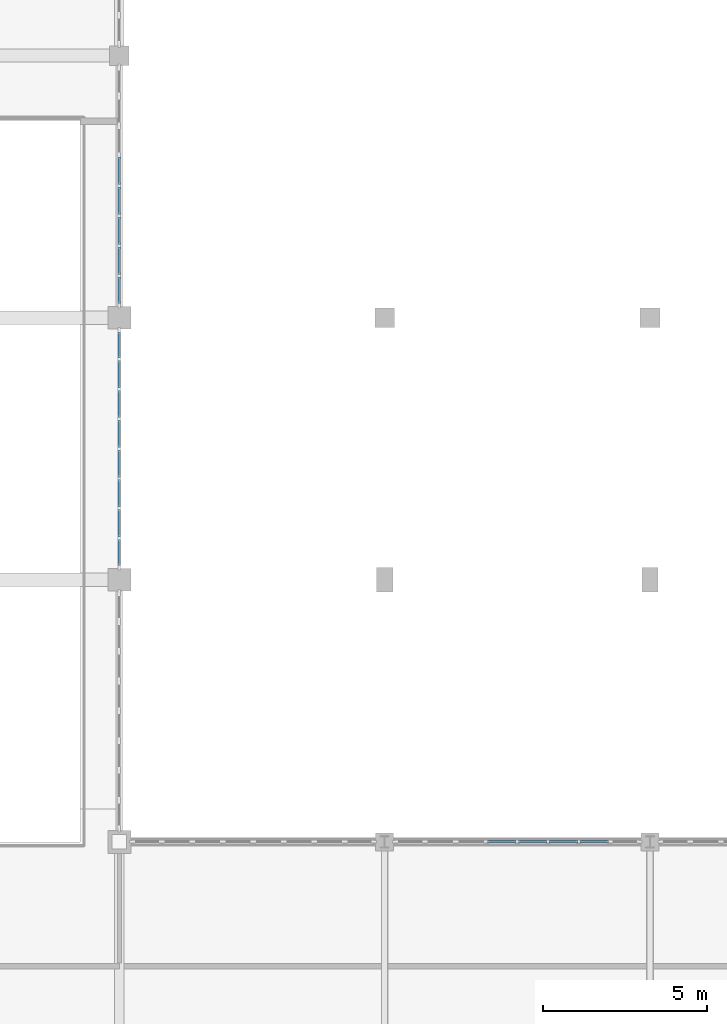
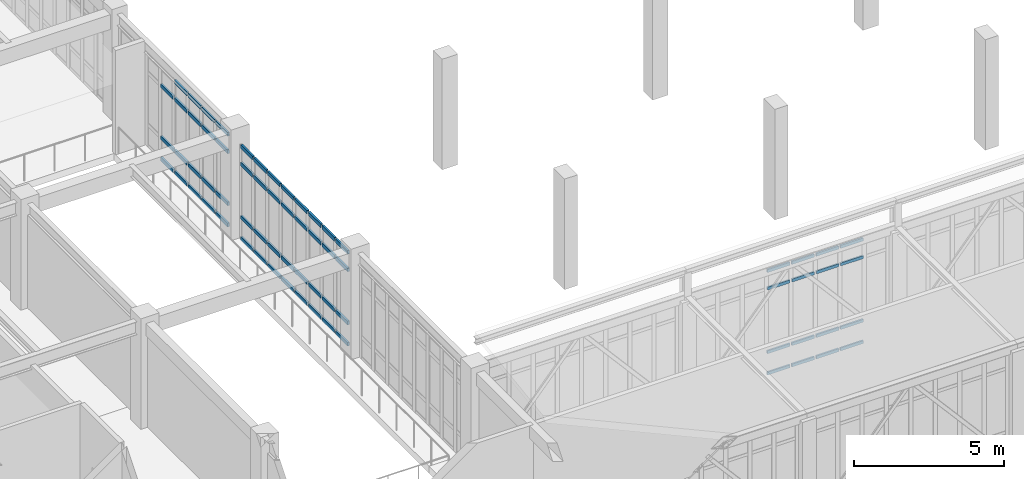
# One storey, part 26 of 67: 67 members, 3 elements without a shape of their own.
"""IFC4 building model written with IfcOpenShell, lengths in metres."""

from ifc_helpers import new_model, si_unit, direction, frame, origin, origin_2d, place, context, subcontext, project, spatial, rectangle, extrude, material, material_profile, profile_set, type_object, element, aggregate, save


model = new_model("IFC4")

# Units and contexts
model_context = context("Model", 3, precision=1e-05, world=origin(), true_north=direction((0.0, 1.0)))
body_context = subcontext(model_context, "Body", "Model", "MODEL_VIEW")
ifc_project = project(units=[si_unit("LENGTHUNIT", "METRE"), si_unit("AREAUNIT", "SQUARE_METRE"), si_unit("VOLUMEUNIT", "CUBIC_METRE"), si_unit("PLANEANGLEUNIT", "RADIAN"), si_unit("MASSUNIT", "GRAM", prefix="KILO")], contexts=[model_context])

# Site, building, storey
site_placement = place(None, origin())
site = spatial("IfcSite", under=ifc_project, at=site_placement, CompositionType="ELEMENT")
building_placement = place(site_placement, origin())
building = spatial("IfcBuilding", under=site, at=building_placement, Name="Tarnveldt Square Police Headquarters", CompositionType="ELEMENT")
storey_placement = place(building_placement, frame((0.0, 0.0, 10.199951171875)))
storey = spatial("IfcBuildingStorey", under=building, at=storey_placement, Name="L02", CompositionType="ELEMENT", Elevation=10.199951171875)

# Curtain wall, members
ifc_material_1 = material(Name="Triple-glazed low-e laminated vision glass", Category="glass")
curtain_wall_type_1 = type_object("IfcCurtainWallType", Name="CW-SB-752x424", PredefinedType="USERDEFINED", material=ifc_material_1)
curtain_wall_1_placement = place(storey_placement, origin())
curtain_wall_1 = element("IfcCurtainWall", 1, at=curtain_wall_1_placement, inside=storey, type_object=curtain_wall_type_1, Name="L02 Curtain Wall CW-L02-146", ObjectType="GLAZED CURTAIN WALL", PredefinedType="USERDEFINED")
ifc_material_2 = material(Name="Thermally broken anodised aluminium 6063-T6", Category="aluminium")
ifc_material_profile_1 = material_profile(ifc_material_2, rectangle(XDim=0.06494140625, YDim=0.1201171875, at=origin_2d()), Name="CW-T65x120")
ifc_profile_set_1 = profile_set([ifc_material_profile_1], Name="Thermally broken anodised aluminium 6063-T6")
member_type_1 = type_object("IfcMemberType", Name="CWT-65x120", PredefinedType="USERDEFINED", material=ifc_profile_set_1)
member_1_placement = place(storey_placement, frame((59.842529296875, 64.0, 0.032470703125), z_axis=(1.0, 0.0, 0.0), x_axis=(0.0, 1.0, 0.0)))
member_1 = element("IfcMember", 2, at=member_1_placement, type_object=member_type_1, Name="CW-SB86 transom 4.1", ObjectType="TRANSOM", PredefinedType="USERDEFINED", context=body_context, shape_type="SweptSolid", body=[
    extrude(rectangle(XDim=0.06494140625, YDim=0.1201171875, at=origin_2d()), origin(), (0.0, 0.0, 1.0), 0.875),
])
member_2_placement = place(storey_placement, frame((59.842529296875, 64.0, 0.900146484375), z_axis=(1.0, 0.0, 0.0), x_axis=(0.0, 1.0, 0.0)))
member_2 = element("IfcMember", 3, at=member_2_placement, type_object=member_type_1, Name="CW-SB86 transom 4.2", ObjectType="TRANSOM", PredefinedType="USERDEFINED", context=body_context, shape_type="SweptSolid", body=[
    extrude(rectangle(XDim=0.06494140625, YDim=0.1201171875, at=origin_2d()), origin(), (0.0, 0.0, 1.0), 0.875),
])
member_3_placement = place(storey_placement, frame((59.842529296875, 64.0, 3.489990234375), z_axis=(1.0, 0.0, 0.0), x_axis=(0.0, 1.0, 0.0)))
member_3 = element("IfcMember", 4, at=member_3_placement, type_object=member_type_1, Name="CW-SB86 transom 4.3", ObjectType="TRANSOM", PredefinedType="USERDEFINED", context=body_context, shape_type="SweptSolid", body=[
    extrude(rectangle(XDim=0.06494140625, YDim=0.1201171875, at=origin_2d()), origin(), (0.0, 0.0, 1.0), 0.875),
])
member_4_placement = place(storey_placement, frame((59.842529296875, 64.0, 4.20751953125), z_axis=(1.0, 0.0, 0.0), x_axis=(0.0, 1.0, 0.0)))
member_4 = element("IfcMember", 5, at=member_4_placement, type_object=member_type_1, Name="CW-SB86 transom 4.4", ObjectType="TRANSOM", PredefinedType="USERDEFINED", context=body_context, shape_type="SweptSolid", body=[
    extrude(rectangle(XDim=0.06494140625, YDim=0.1201171875, at=origin_2d()), origin(), (0.0, 0.0, 1.0), 0.875),
])
member_5_placement = place(storey_placement, frame((60.782470703125, 64.0, 0.032470703125), z_axis=(1.0, 0.0, 0.0), x_axis=(0.0, 1.0, 0.0)))
member_5 = element("IfcMember", 6, at=member_5_placement, type_object=member_type_1, Name="CW-SB86 transom 5.1", ObjectType="TRANSOM", PredefinedType="USERDEFINED", context=body_context, shape_type="SweptSolid", body=[
    extrude(rectangle(XDim=0.06494140625, YDim=0.1201171875, at=origin_2d()), origin(), (0.0, 0.0, 1.0), 0.875),
])
member_6_placement = place(storey_placement, frame((60.782470703125, 64.0, 0.900146484375), z_axis=(1.0, 0.0, 0.0), x_axis=(0.0, 1.0, 0.0)))
member_6 = element("IfcMember", 7, at=member_6_placement, type_object=member_type_1, Name="CW-SB86 transom 5.2", ObjectType="TRANSOM", PredefinedType="USERDEFINED", context=body_context, shape_type="SweptSolid", body=[
    extrude(rectangle(XDim=0.06494140625, YDim=0.1201171875, at=origin_2d()), origin(), (0.0, 0.0, 1.0), 0.875),
])
member_7_placement = place(storey_placement, frame((60.782470703125, 64.0, 3.489990234375), z_axis=(1.0, 0.0, 0.0), x_axis=(0.0, 1.0, 0.0)))
member_7 = element("IfcMember", 8, at=member_7_placement, type_object=member_type_1, Name="CW-SB86 transom 5.3", ObjectType="TRANSOM", PredefinedType="USERDEFINED", context=body_context, shape_type="SweptSolid", body=[
    extrude(rectangle(XDim=0.06494140625, YDim=0.1201171875, at=origin_2d()), origin(), (0.0, 0.0, 1.0), 0.875),
])
member_8_placement = place(storey_placement, frame((60.782470703125, 64.0, 4.20751953125), z_axis=(1.0, 0.0, 0.0), x_axis=(0.0, 1.0, 0.0)))
member_8 = element("IfcMember", 9, at=member_8_placement, type_object=member_type_1, Name="CW-SB86 transom 5.4", ObjectType="TRANSOM", PredefinedType="USERDEFINED", context=body_context, shape_type="SweptSolid", body=[
    extrude(rectangle(XDim=0.06494140625, YDim=0.1201171875, at=origin_2d()), origin(), (0.0, 0.0, 1.0), 0.875),
])
member_9_placement = place(storey_placement, frame((61.722412109375, 64.0, 0.032470703125), z_axis=(1.0, 0.0, 0.0), x_axis=(0.0, 1.0, 0.0)))
member_9 = element("IfcMember", 10, at=member_9_placement, type_object=member_type_1, Name="CW-SB86 transom 6.1", ObjectType="TRANSOM", PredefinedType="USERDEFINED", context=body_context, shape_type="SweptSolid", body=[
    extrude(rectangle(XDim=0.06494140625, YDim=0.1201171875, at=origin_2d()), origin(), (0.0, 0.0, 1.0), 0.875),
])
member_10_placement = place(storey_placement, frame((61.722412109375, 64.0, 0.900146484375), z_axis=(1.0, 0.0, 0.0), x_axis=(0.0, 1.0, 0.0)))
member_10 = element("IfcMember", 11, at=member_10_placement, type_object=member_type_1, Name="CW-SB86 transom 6.2", ObjectType="TRANSOM", PredefinedType="USERDEFINED", context=body_context, shape_type="SweptSolid", body=[
    extrude(rectangle(XDim=0.06494140625, YDim=0.1201171875, at=origin_2d()), origin(), (0.0, 0.0, 1.0), 0.875),
])
member_11_placement = place(storey_placement, frame((61.722412109375, 64.0, 3.489990234375), z_axis=(1.0, 0.0, 0.0), x_axis=(0.0, 1.0, 0.0)))
member_11 = element("IfcMember", 12, at=member_11_placement, type_object=member_type_1, Name="CW-SB86 transom 6.3", ObjectType="TRANSOM", PredefinedType="USERDEFINED", context=body_context, shape_type="SweptSolid", body=[
    extrude(rectangle(XDim=0.06494140625, YDim=0.1201171875, at=origin_2d()), origin(), (0.0, 0.0, 1.0), 0.875),
])
member_12_placement = place(storey_placement, frame((61.722412109375, 64.0, 4.20751953125), z_axis=(1.0, 0.0, 0.0), x_axis=(0.0, 1.0, 0.0)))
member_12 = element("IfcMember", 13, at=member_12_placement, type_object=member_type_1, Name="CW-SB86 transom 6.4", ObjectType="TRANSOM", PredefinedType="USERDEFINED", context=body_context, shape_type="SweptSolid", body=[
    extrude(rectangle(XDim=0.06494140625, YDim=0.1201171875, at=origin_2d()), origin(), (0.0, 0.0, 1.0), 0.875),
])
member_13_placement = place(storey_placement, frame((62.66259765625, 64.0, 0.032470703125), z_axis=(1.0, 0.0, 0.0), x_axis=(0.0, 1.0, 0.0)))
member_13 = element("IfcMember", 14, at=member_13_placement, type_object=member_type_1, Name="CW-SB86 transom 7.1", ObjectType="TRANSOM", PredefinedType="USERDEFINED", context=body_context, shape_type="SweptSolid", body=[
    extrude(rectangle(XDim=0.06494140625, YDim=0.1201171875, at=origin_2d()), origin(), (0.0, 0.0, 1.0), 0.875),
])
member_14_placement = place(storey_placement, frame((62.66259765625, 64.0, 0.900146484375), z_axis=(1.0, 0.0, 0.0), x_axis=(0.0, 1.0, 0.0)))
member_14 = element("IfcMember", 15, at=member_14_placement, type_object=member_type_1, Name="CW-SB86 transom 7.2", ObjectType="TRANSOM", PredefinedType="USERDEFINED", context=body_context, shape_type="SweptSolid", body=[
    extrude(rectangle(XDim=0.06494140625, YDim=0.1201171875, at=origin_2d()), origin(), (0.0, 0.0, 1.0), 0.875),
])
member_15_placement = place(storey_placement, frame((62.66259765625, 64.0, 3.489990234375), z_axis=(1.0, 0.0, 0.0), x_axis=(0.0, 1.0, 0.0)))
member_15 = element("IfcMember", 16, at=member_15_placement, type_object=member_type_1, Name="CW-SB86 transom 7.3", ObjectType="TRANSOM", PredefinedType="USERDEFINED", context=body_context, shape_type="SweptSolid", body=[
    extrude(rectangle(XDim=0.06494140625, YDim=0.1201171875, at=origin_2d()), origin(), (0.0, 0.0, 1.0), 0.875),
])
member_16_placement = place(storey_placement, frame((62.66259765625, 64.0, 4.20751953125), z_axis=(1.0, 0.0, 0.0), x_axis=(0.0, 1.0, 0.0)))
member_16 = element("IfcMember", 17, at=member_16_placement, type_object=member_type_1, Name="CW-SB86 transom 7.4", ObjectType="TRANSOM", PredefinedType="USERDEFINED", context=body_context, shape_type="SweptSolid", body=[
    extrude(rectangle(XDim=0.06494140625, YDim=0.1201171875, at=origin_2d()), origin(), (0.0, 0.0, 1.0), 0.875),
])
aggregate(curtain_wall_1, [member_1, member_2, member_3, member_4, member_5, member_6, member_7, member_8, member_9, member_10, member_11, member_12, member_13, member_14, member_15, member_16])

curtain_wall_type_2 = type_object("IfcCurtainWallType", Name="CW-WG-727x382", PredefinedType="USERDEFINED", material=ifc_material_1)
curtain_wall_2_placement = place(storey_placement, origin())
curtain_wall_2 = element("IfcCurtainWall", 18, at=curtain_wall_2_placement, inside=storey, type_object=curtain_wall_type_2, Name="L02 Curtain Wall CW-L02-075", ObjectType="GLAZED CURTAIN WALL", PredefinedType="USERDEFINED")
ifc_material_profile_2 = material_profile(ifc_material_2, rectangle(XDim=0.074951171875, YDim=0.14990234375, at=origin_2d()), Name="CW-T75x150")
ifc_profile_set_2 = profile_set([ifc_material_profile_2], Name="Thermally broken anodised aluminium 6063-T6")
member_type_2 = type_object("IfcMemberType", Name="CWT-75x150", PredefinedType="USERDEFINED", material=ifc_profile_set_2)
member_17_placement = place(storey_placement, frame((48.60009765625, 72.43994140625, 0.03759765625), z_axis=(0.0, 1.0, 0.0), x_axis=(-1.0, 0.0, 0.0)))
member_17 = element("IfcMember", 19, at=member_17_placement, type_object=member_type_2, Name="CW-WG35 transom 1.1", ObjectType="TRANSOM", PredefinedType="USERDEFINED", context=body_context, shape_type="SweptSolid", body=[
    extrude(rectangle(XDim=0.074951171875, YDim=0.14990234375, at=origin_2d()), origin(), (0.0, 0.0, 1.0), 0.79638671875),
])
member_18_placement = place(storey_placement, frame((48.60009765625, 72.43994140625, 0.900146484375), z_axis=(0.0, 1.0, 0.0), x_axis=(-1.0, 0.0, 0.0)))
member_18 = element("IfcMember", 20, at=member_18_placement, type_object=member_type_2, Name="CW-WG35 transom 1.2", ObjectType="TRANSOM", PredefinedType="USERDEFINED", context=body_context, shape_type="SweptSolid", body=[
    extrude(rectangle(XDim=0.074951171875, YDim=0.14990234375, at=origin_2d()), origin(), (0.0, 0.0, 1.0), 0.79638671875),
])
member_19_placement = place(storey_placement, frame((48.60009765625, 72.43994140625, 3.06494140625), z_axis=(0.0, 1.0, 0.0), x_axis=(-1.0, 0.0, 0.0)))
member_19 = element("IfcMember", 21, at=member_19_placement, type_object=member_type_2, Name="CW-WG35 transom 1.3", ObjectType="TRANSOM", PredefinedType="USERDEFINED", context=body_context, shape_type="SweptSolid", body=[
    extrude(rectangle(XDim=0.074951171875, YDim=0.14990234375, at=origin_2d()), origin(), (0.0, 0.0, 1.0), 0.79638671875),
])
member_20_placement = place(storey_placement, frame((48.60009765625, 72.43994140625, 3.777587890625), z_axis=(0.0, 1.0, 0.0), x_axis=(-1.0, 0.0, 0.0)))
member_20 = element("IfcMember", 22, at=member_20_placement, type_object=member_type_2, Name="CW-WG35 transom 1.4", ObjectType="TRANSOM", PredefinedType="USERDEFINED", context=body_context, shape_type="SweptSolid", body=[
    extrude(rectangle(XDim=0.074951171875, YDim=0.14990234375, at=origin_2d()), origin(), (0.0, 0.0, 1.0), 0.79638671875),
])
member_21_placement = place(storey_placement, frame((48.60009765625, 73.311279296875, 0.03759765625), z_axis=(0.0, 1.0, 0.0), x_axis=(-1.0, 0.0, 0.0)))
member_21 = element("IfcMember", 23, at=member_21_placement, type_object=member_type_2, Name="CW-WG35 transom 2.1", ObjectType="TRANSOM", PredefinedType="USERDEFINED", context=body_context, shape_type="SweptSolid", body=[
    extrude(rectangle(XDim=0.074951171875, YDim=0.14990234375, at=origin_2d()), origin(), (0.0, 0.0, 1.0), 0.833740234375),
])
member_22_placement = place(storey_placement, frame((48.60009765625, 73.311279296875, 0.900146484375), z_axis=(0.0, 1.0, 0.0), x_axis=(-1.0, 0.0, 0.0)))
member_22 = element("IfcMember", 24, at=member_22_placement, type_object=member_type_2, Name="CW-WG35 transom 2.2", ObjectType="TRANSOM", PredefinedType="USERDEFINED", context=body_context, shape_type="SweptSolid", body=[
    extrude(rectangle(XDim=0.074951171875, YDim=0.14990234375, at=origin_2d()), origin(), (0.0, 0.0, 1.0), 0.833740234375),
])
member_23_placement = place(storey_placement, frame((48.60009765625, 73.311279296875, 3.06494140625), z_axis=(0.0, 1.0, 0.0), x_axis=(-1.0, 0.0, 0.0)))
member_23 = element("IfcMember", 25, at=member_23_placement, type_object=member_type_2, Name="CW-WG35 transom 2.3", ObjectType="TRANSOM", PredefinedType="USERDEFINED", context=body_context, shape_type="SweptSolid", body=[
    extrude(rectangle(XDim=0.074951171875, YDim=0.14990234375, at=origin_2d()), origin(), (0.0, 0.0, 1.0), 0.833740234375),
])
member_24_placement = place(storey_placement, frame((48.60009765625, 73.311279296875, 3.777587890625), z_axis=(0.0, 1.0, 0.0), x_axis=(-1.0, 0.0, 0.0)))
member_24 = element("IfcMember", 26, at=member_24_placement, type_object=member_type_2, Name="CW-WG35 transom 2.4", ObjectType="TRANSOM", PredefinedType="USERDEFINED", context=body_context, shape_type="SweptSolid", body=[
    extrude(rectangle(XDim=0.074951171875, YDim=0.14990234375, at=origin_2d()), origin(), (0.0, 0.0, 1.0), 0.833740234375),
])
member_25_placement = place(storey_placement, frame((48.60009765625, 74.219970703125, 0.03759765625), z_axis=(0.0, 1.0, 0.0), x_axis=(-1.0, 0.0, 0.0)))
member_25 = element("IfcMember", 27, at=member_25_placement, type_object=member_type_2, Name="CW-WG35 transom 3.1", ObjectType="TRANSOM", PredefinedType="USERDEFINED", context=body_context, shape_type="SweptSolid", body=[
    extrude(rectangle(XDim=0.074951171875, YDim=0.14990234375, at=origin_2d()), origin(), (0.0, 0.0, 1.0), 0.833740234375),
])
member_26_placement = place(storey_placement, frame((48.60009765625, 74.219970703125, 0.900146484375), z_axis=(0.0, 1.0, 0.0), x_axis=(-1.0, 0.0, 0.0)))
member_26 = element("IfcMember", 28, at=member_26_placement, type_object=member_type_2, Name="CW-WG35 transom 3.2", ObjectType="TRANSOM", PredefinedType="USERDEFINED", context=body_context, shape_type="SweptSolid", body=[
    extrude(rectangle(XDim=0.074951171875, YDim=0.14990234375, at=origin_2d()), origin(), (0.0, 0.0, 1.0), 0.833740234375),
])
member_27_placement = place(storey_placement, frame((48.60009765625, 74.219970703125, 3.06494140625), z_axis=(0.0, 1.0, 0.0), x_axis=(-1.0, 0.0, 0.0)))
member_27 = element("IfcMember", 29, at=member_27_placement, type_object=member_type_2, Name="CW-WG35 transom 3.3", ObjectType="TRANSOM", PredefinedType="USERDEFINED", context=body_context, shape_type="SweptSolid", body=[
    extrude(rectangle(XDim=0.074951171875, YDim=0.14990234375, at=origin_2d()), origin(), (0.0, 0.0, 1.0), 0.833740234375),
])
member_28_placement = place(storey_placement, frame((48.60009765625, 74.219970703125, 3.777587890625), z_axis=(0.0, 1.0, 0.0), x_axis=(-1.0, 0.0, 0.0)))
member_28 = element("IfcMember", 30, at=member_28_placement, type_object=member_type_2, Name="CW-WG35 transom 3.4", ObjectType="TRANSOM", PredefinedType="USERDEFINED", context=body_context, shape_type="SweptSolid", body=[
    extrude(rectangle(XDim=0.074951171875, YDim=0.14990234375, at=origin_2d()), origin(), (0.0, 0.0, 1.0), 0.833740234375),
])
member_29_placement = place(storey_placement, frame((48.60009765625, 75.128662109375, 0.03759765625), z_axis=(0.0, 1.0, 0.0), x_axis=(-1.0, 0.0, 0.0)))
member_29 = element("IfcMember", 31, at=member_29_placement, type_object=member_type_2, Name="CW-WG35 transom 4.1", ObjectType="TRANSOM", PredefinedType="USERDEFINED", context=body_context, shape_type="SweptSolid", body=[
    extrude(rectangle(XDim=0.074951171875, YDim=0.14990234375, at=origin_2d()), origin(), (0.0, 0.0, 1.0), 0.833740234375),
])
member_30_placement = place(storey_placement, frame((48.60009765625, 75.128662109375, 0.900146484375), z_axis=(0.0, 1.0, 0.0), x_axis=(-1.0, 0.0, 0.0)))
member_30 = element("IfcMember", 32, at=member_30_placement, type_object=member_type_2, Name="CW-WG35 transom 4.2", ObjectType="TRANSOM", PredefinedType="USERDEFINED", context=body_context, shape_type="SweptSolid", body=[
    extrude(rectangle(XDim=0.074951171875, YDim=0.14990234375, at=origin_2d()), origin(), (0.0, 0.0, 1.0), 0.833740234375),
])
member_31_placement = place(storey_placement, frame((48.60009765625, 75.128662109375, 3.06494140625), z_axis=(0.0, 1.0, 0.0), x_axis=(-1.0, 0.0, 0.0)))
member_31 = element("IfcMember", 33, at=member_31_placement, type_object=member_type_2, Name="CW-WG35 transom 4.3", ObjectType="TRANSOM", PredefinedType="USERDEFINED", context=body_context, shape_type="SweptSolid", body=[
    extrude(rectangle(XDim=0.074951171875, YDim=0.14990234375, at=origin_2d()), origin(), (0.0, 0.0, 1.0), 0.833740234375),
])
member_32_placement = place(storey_placement, frame((48.60009765625, 75.128662109375, 3.777587890625), z_axis=(0.0, 1.0, 0.0), x_axis=(-1.0, 0.0, 0.0)))
member_32 = element("IfcMember", 34, at=member_32_placement, type_object=member_type_2, Name="CW-WG35 transom 4.4", ObjectType="TRANSOM", PredefinedType="USERDEFINED", context=body_context, shape_type="SweptSolid", body=[
    extrude(rectangle(XDim=0.074951171875, YDim=0.14990234375, at=origin_2d()), origin(), (0.0, 0.0, 1.0), 0.833740234375),
])
member_33_placement = place(storey_placement, frame((48.60009765625, 76.03759765625, 0.03759765625), z_axis=(0.0, 1.0, 0.0), x_axis=(-1.0, 0.0, 0.0)))
member_33 = element("IfcMember", 35, at=member_33_placement, type_object=member_type_2, Name="CW-WG35 transom 5.1", ObjectType="TRANSOM", PredefinedType="USERDEFINED", context=body_context, shape_type="SweptSolid", body=[
    extrude(rectangle(XDim=0.074951171875, YDim=0.14990234375, at=origin_2d()), origin(), (0.0, 0.0, 1.0), 0.833740234375),
])
member_34_placement = place(storey_placement, frame((48.60009765625, 76.03759765625, 0.900146484375), z_axis=(0.0, 1.0, 0.0), x_axis=(-1.0, 0.0, 0.0)))
member_34 = element("IfcMember", 36, at=member_34_placement, type_object=member_type_2, Name="CW-WG35 transom 5.2", ObjectType="TRANSOM", PredefinedType="USERDEFINED", context=body_context, shape_type="SweptSolid", body=[
    extrude(rectangle(XDim=0.074951171875, YDim=0.14990234375, at=origin_2d()), origin(), (0.0, 0.0, 1.0), 0.833740234375),
])
member_35_placement = place(storey_placement, frame((48.60009765625, 76.03759765625, 3.06494140625), z_axis=(0.0, 1.0, 0.0), x_axis=(-1.0, 0.0, 0.0)))
member_35 = element("IfcMember", 37, at=member_35_placement, type_object=member_type_2, Name="CW-WG35 transom 5.3", ObjectType="TRANSOM", PredefinedType="USERDEFINED", context=body_context, shape_type="SweptSolid", body=[
    extrude(rectangle(XDim=0.074951171875, YDim=0.14990234375, at=origin_2d()), origin(), (0.0, 0.0, 1.0), 0.833740234375),
])
member_36_placement = place(storey_placement, frame((48.60009765625, 76.03759765625, 3.777587890625), z_axis=(0.0, 1.0, 0.0), x_axis=(-1.0, 0.0, 0.0)))
member_36 = element("IfcMember", 38, at=member_36_placement, type_object=member_type_2, Name="CW-WG35 transom 5.4", ObjectType="TRANSOM", PredefinedType="USERDEFINED", context=body_context, shape_type="SweptSolid", body=[
    extrude(rectangle(XDim=0.074951171875, YDim=0.14990234375, at=origin_2d()), origin(), (0.0, 0.0, 1.0), 0.833740234375),
])
member_37_placement = place(storey_placement, frame((48.60009765625, 76.9462890625, 0.03759765625), z_axis=(0.0, 1.0, 0.0), x_axis=(-1.0, 0.0, 0.0)))
member_37 = element("IfcMember", 39, at=member_37_placement, type_object=member_type_2, Name="CW-WG35 transom 6.1", ObjectType="TRANSOM", PredefinedType="USERDEFINED", context=body_context, shape_type="SweptSolid", body=[
    extrude(rectangle(XDim=0.074951171875, YDim=0.14990234375, at=origin_2d()), origin(), (0.0, 0.0, 1.0), 0.833740234375),
])
member_38_placement = place(storey_placement, frame((48.60009765625, 76.9462890625, 0.900146484375), z_axis=(0.0, 1.0, 0.0), x_axis=(-1.0, 0.0, 0.0)))
member_38 = element("IfcMember", 40, at=member_38_placement, type_object=member_type_2, Name="CW-WG35 transom 6.2", ObjectType="TRANSOM", PredefinedType="USERDEFINED", context=body_context, shape_type="SweptSolid", body=[
    extrude(rectangle(XDim=0.074951171875, YDim=0.14990234375, at=origin_2d()), origin(), (0.0, 0.0, 1.0), 0.833740234375),
])
member_39_placement = place(storey_placement, frame((48.60009765625, 76.9462890625, 3.06494140625), z_axis=(0.0, 1.0, 0.0), x_axis=(-1.0, 0.0, 0.0)))
member_39 = element("IfcMember", 41, at=member_39_placement, type_object=member_type_2, Name="CW-WG35 transom 6.3", ObjectType="TRANSOM", PredefinedType="USERDEFINED", context=body_context, shape_type="SweptSolid", body=[
    extrude(rectangle(XDim=0.074951171875, YDim=0.14990234375, at=origin_2d()), origin(), (0.0, 0.0, 1.0), 0.833740234375),
])
member_40_placement = place(storey_placement, frame((48.60009765625, 76.9462890625, 3.777587890625), z_axis=(0.0, 1.0, 0.0), x_axis=(-1.0, 0.0, 0.0)))
member_40 = element("IfcMember", 42, at=member_40_placement, type_object=member_type_2, Name="CW-WG35 transom 6.4", ObjectType="TRANSOM", PredefinedType="USERDEFINED", context=body_context, shape_type="SweptSolid", body=[
    extrude(rectangle(XDim=0.074951171875, YDim=0.14990234375, at=origin_2d()), origin(), (0.0, 0.0, 1.0), 0.833740234375),
])
member_41_placement = place(storey_placement, frame((48.60009765625, 77.85498046875, 0.03759765625), z_axis=(0.0, 1.0, 0.0), x_axis=(-1.0, 0.0, 0.0)))
member_41 = element("IfcMember", 43, at=member_41_placement, type_object=member_type_2, Name="CW-WG35 transom 7.1", ObjectType="TRANSOM", PredefinedType="USERDEFINED", context=body_context, shape_type="SweptSolid", body=[
    extrude(rectangle(XDim=0.074951171875, YDim=0.14990234375, at=origin_2d()), origin(), (0.0, 0.0, 1.0), 0.833740234375),
])
member_42_placement = place(storey_placement, frame((48.60009765625, 77.85498046875, 0.900146484375), z_axis=(0.0, 1.0, 0.0), x_axis=(-1.0, 0.0, 0.0)))
member_42 = element("IfcMember", 44, at=member_42_placement, type_object=member_type_2, Name="CW-WG35 transom 7.2", ObjectType="TRANSOM", PredefinedType="USERDEFINED", context=body_context, shape_type="SweptSolid", body=[
    extrude(rectangle(XDim=0.074951171875, YDim=0.14990234375, at=origin_2d()), origin(), (0.0, 0.0, 1.0), 0.833740234375),
])
member_43_placement = place(storey_placement, frame((48.60009765625, 77.85498046875, 3.06494140625), z_axis=(0.0, 1.0, 0.0), x_axis=(-1.0, 0.0, 0.0)))
member_43 = element("IfcMember", 45, at=member_43_placement, type_object=member_type_2, Name="CW-WG35 transom 7.3", ObjectType="TRANSOM", PredefinedType="USERDEFINED", context=body_context, shape_type="SweptSolid", body=[
    extrude(rectangle(XDim=0.074951171875, YDim=0.14990234375, at=origin_2d()), origin(), (0.0, 0.0, 1.0), 0.833740234375),
])
member_44_placement = place(storey_placement, frame((48.60009765625, 77.85498046875, 3.777587890625), z_axis=(0.0, 1.0, 0.0), x_axis=(-1.0, 0.0, 0.0)))
member_44 = element("IfcMember", 46, at=member_44_placement, type_object=member_type_2, Name="CW-WG35 transom 7.4", ObjectType="TRANSOM", PredefinedType="USERDEFINED", context=body_context, shape_type="SweptSolid", body=[
    extrude(rectangle(XDim=0.074951171875, YDim=0.14990234375, at=origin_2d()), origin(), (0.0, 0.0, 1.0), 0.833740234375),
])
member_45_placement = place(storey_placement, frame((48.60009765625, 78.763671875, 0.03759765625), z_axis=(0.0, 1.0, 0.0), x_axis=(-1.0, 0.0, 0.0)))
member_45 = element("IfcMember", 47, at=member_45_placement, type_object=member_type_2, Name="CW-WG35 transom 8.1", ObjectType="TRANSOM", PredefinedType="USERDEFINED", context=body_context, shape_type="SweptSolid", body=[
    extrude(rectangle(XDim=0.074951171875, YDim=0.14990234375, at=origin_2d()), origin(), (0.0, 0.0, 1.0), 0.79638671875),
])
member_46_placement = place(storey_placement, frame((48.60009765625, 78.763671875, 0.900146484375), z_axis=(0.0, 1.0, 0.0), x_axis=(-1.0, 0.0, 0.0)))
member_46 = element("IfcMember", 48, at=member_46_placement, type_object=member_type_2, Name="CW-WG35 transom 8.2", ObjectType="TRANSOM", PredefinedType="USERDEFINED", context=body_context, shape_type="SweptSolid", body=[
    extrude(rectangle(XDim=0.074951171875, YDim=0.14990234375, at=origin_2d()), origin(), (0.0, 0.0, 1.0), 0.79638671875),
])
member_47_placement = place(storey_placement, frame((48.60009765625, 78.763671875, 3.06494140625), z_axis=(0.0, 1.0, 0.0), x_axis=(-1.0, 0.0, 0.0)))
member_47 = element("IfcMember", 49, at=member_47_placement, type_object=member_type_2, Name="CW-WG35 transom 8.3", ObjectType="TRANSOM", PredefinedType="USERDEFINED", context=body_context, shape_type="SweptSolid", body=[
    extrude(rectangle(XDim=0.074951171875, YDim=0.14990234375, at=origin_2d()), origin(), (0.0, 0.0, 1.0), 0.79638671875),
])
member_48_placement = place(storey_placement, frame((48.60009765625, 78.763671875, 3.777587890625), z_axis=(0.0, 1.0, 0.0), x_axis=(-1.0, 0.0, 0.0)))
member_48 = element("IfcMember", 50, at=member_48_placement, type_object=member_type_2, Name="CW-WG35 transom 8.4", ObjectType="TRANSOM", PredefinedType="USERDEFINED", context=body_context, shape_type="SweptSolid", body=[
    extrude(rectangle(XDim=0.074951171875, YDim=0.14990234375, at=origin_2d()), origin(), (0.0, 0.0, 1.0), 0.79638671875),
])
aggregate(curtain_wall_2, [member_17, member_18, member_19, member_20, member_21, member_22, member_23, member_24, member_25, member_26, member_27, member_28, member_29, member_30, member_31, member_32, member_33, member_34, member_35, member_36, member_37, member_38, member_39, member_40, member_41, member_42, member_43, member_44, member_45, member_46, member_47, member_48])

curtain_wall_type_3 = type_object("IfcCurtainWallType", Name="CW-WG-732x377", PredefinedType="USERDEFINED", material=ifc_material_1)
curtain_wall_3_placement = place(storey_placement, origin())
curtain_wall_3 = element("IfcCurtainWall", 51, at=curtain_wall_3_placement, inside=storey, type_object=curtain_wall_type_3, Name="L02 Curtain Wall CW-L02-076", ObjectType="GLAZED CURTAIN WALL", PredefinedType="USERDEFINED")
member_49_placement = place(storey_placement, frame((48.60009765625, 80.43994140625, 0.03759765625), z_axis=(0.0, 1.0, 0.0), x_axis=(-1.0, 0.0, 0.0)))
member_49 = element("IfcMember", 52, at=member_49_placement, type_object=member_type_2, Name="CW-WG36 transom 1.1", ObjectType="TRANSOM", PredefinedType="USERDEFINED", context=body_context, shape_type="SweptSolid", body=[
    extrude(rectangle(XDim=0.074951171875, YDim=0.14990234375, at=origin_2d()), origin(), (0.0, 0.0, 1.0), 0.802490234375),
])
member_50_placement = place(storey_placement, frame((48.60009765625, 80.43994140625, 0.900146484375), z_axis=(0.0, 1.0, 0.0), x_axis=(-1.0, 0.0, 0.0)))
member_50 = element("IfcMember", 53, at=member_50_placement, type_object=member_type_2, Name="CW-WG36 transom 1.2", ObjectType="TRANSOM", PredefinedType="USERDEFINED", context=body_context, shape_type="SweptSolid", body=[
    extrude(rectangle(XDim=0.074951171875, YDim=0.14990234375, at=origin_2d()), origin(), (0.0, 0.0, 1.0), 0.802490234375),
])
member_51_placement = place(storey_placement, frame((48.60009765625, 80.43994140625, 3.01904296875), z_axis=(0.0, 1.0, 0.0), x_axis=(-1.0, 0.0, 0.0)))
member_51 = element("IfcMember", 54, at=member_51_placement, type_object=member_type_2, Name="CW-WG36 transom 1.3", ObjectType="TRANSOM", PredefinedType="USERDEFINED", context=body_context, shape_type="SweptSolid", body=[
    extrude(rectangle(XDim=0.074951171875, YDim=0.14990234375, at=origin_2d()), origin(), (0.0, 0.0, 1.0), 0.802490234375),
])
member_52_placement = place(storey_placement, frame((48.60009765625, 80.43994140625, 3.7314453125), z_axis=(0.0, 1.0, 0.0), x_axis=(-1.0, 0.0, 0.0)))
member_52 = element("IfcMember", 55, at=member_52_placement, type_object=member_type_2, Name="CW-WG36 transom 1.4", ObjectType="TRANSOM", PredefinedType="USERDEFINED", context=body_context, shape_type="SweptSolid", body=[
    extrude(rectangle(XDim=0.074951171875, YDim=0.14990234375, at=origin_2d()), origin(), (0.0, 0.0, 1.0), 0.802490234375),
])
member_53_placement = place(storey_placement, frame((48.60009765625, 81.3173828125, 0.03759765625), z_axis=(0.0, 1.0, 0.0), x_axis=(-1.0, 0.0, 0.0)))
member_53 = element("IfcMember", 56, at=member_53_placement, type_object=member_type_2, Name="CW-WG36 transom 2.1", ObjectType="TRANSOM", PredefinedType="USERDEFINED", context=body_context, shape_type="SweptSolid", body=[
    extrude(rectangle(XDim=0.074951171875, YDim=0.14990234375, at=origin_2d()), origin(), (0.0, 0.0, 1.0), 0.840087890625),
])
member_54_placement = place(storey_placement, frame((48.60009765625, 81.3173828125, 0.900146484375), z_axis=(0.0, 1.0, 0.0), x_axis=(-1.0, 0.0, 0.0)))
member_54 = element("IfcMember", 57, at=member_54_placement, type_object=member_type_2, Name="CW-WG36 transom 2.2", ObjectType="TRANSOM", PredefinedType="USERDEFINED", context=body_context, shape_type="SweptSolid", body=[
    extrude(rectangle(XDim=0.074951171875, YDim=0.14990234375, at=origin_2d()), origin(), (0.0, 0.0, 1.0), 0.840087890625),
])
member_55_placement = place(storey_placement, frame((48.60009765625, 81.3173828125, 3.01904296875), z_axis=(0.0, 1.0, 0.0), x_axis=(-1.0, 0.0, 0.0)))
member_55 = element("IfcMember", 58, at=member_55_placement, type_object=member_type_2, Name="CW-WG36 transom 2.3", ObjectType="TRANSOM", PredefinedType="USERDEFINED", context=body_context, shape_type="SweptSolid", body=[
    extrude(rectangle(XDim=0.074951171875, YDim=0.14990234375, at=origin_2d()), origin(), (0.0, 0.0, 1.0), 0.840087890625),
])
member_56_placement = place(storey_placement, frame((48.60009765625, 81.3173828125, 3.7314453125), z_axis=(0.0, 1.0, 0.0), x_axis=(-1.0, 0.0, 0.0)))
member_56 = element("IfcMember", 59, at=member_56_placement, type_object=member_type_2, Name="CW-WG36 transom 2.4", ObjectType="TRANSOM", PredefinedType="USERDEFINED", context=body_context, shape_type="SweptSolid", body=[
    extrude(rectangle(XDim=0.074951171875, YDim=0.14990234375, at=origin_2d()), origin(), (0.0, 0.0, 1.0), 0.840087890625),
])
member_57_placement = place(storey_placement, frame((48.60009765625, 82.232421875, 0.03759765625), z_axis=(0.0, 1.0, 0.0), x_axis=(-1.0, 0.0, 0.0)))
member_57 = element("IfcMember", 60, at=member_57_placement, type_object=member_type_2, Name="CW-WG36 transom 3.1", ObjectType="TRANSOM", PredefinedType="USERDEFINED", context=body_context, shape_type="SweptSolid", body=[
    extrude(rectangle(XDim=0.074951171875, YDim=0.14990234375, at=origin_2d()), origin(), (0.0, 0.0, 1.0), 0.840087890625),
])
member_58_placement = place(storey_placement, frame((48.60009765625, 82.232421875, 0.900146484375), z_axis=(0.0, 1.0, 0.0), x_axis=(-1.0, 0.0, 0.0)))
member_58 = element("IfcMember", 61, at=member_58_placement, type_object=member_type_2, Name="CW-WG36 transom 3.2", ObjectType="TRANSOM", PredefinedType="USERDEFINED", context=body_context, shape_type="SweptSolid", body=[
    extrude(rectangle(XDim=0.074951171875, YDim=0.14990234375, at=origin_2d()), origin(), (0.0, 0.0, 1.0), 0.840087890625),
])
member_59_placement = place(storey_placement, frame((48.60009765625, 82.232421875, 3.01904296875), z_axis=(0.0, 1.0, 0.0), x_axis=(-1.0, 0.0, 0.0)))
member_59 = element("IfcMember", 62, at=member_59_placement, type_object=member_type_2, Name="CW-WG36 transom 3.3", ObjectType="TRANSOM", PredefinedType="USERDEFINED", context=body_context, shape_type="SweptSolid", body=[
    extrude(rectangle(XDim=0.074951171875, YDim=0.14990234375, at=origin_2d()), origin(), (0.0, 0.0, 1.0), 0.840087890625),
])
member_60_placement = place(storey_placement, frame((48.60009765625, 82.232421875, 3.7314453125), z_axis=(0.0, 1.0, 0.0), x_axis=(-1.0, 0.0, 0.0)))
member_60 = element("IfcMember", 63, at=member_60_placement, type_object=member_type_2, Name="CW-WG36 transom 3.4", ObjectType="TRANSOM", PredefinedType="USERDEFINED", context=body_context, shape_type="SweptSolid", body=[
    extrude(rectangle(XDim=0.074951171875, YDim=0.14990234375, at=origin_2d()), origin(), (0.0, 0.0, 1.0), 0.840087890625),
])
member_61_placement = place(storey_placement, frame((48.60009765625, 83.1474609375, 0.03759765625), z_axis=(0.0, 1.0, 0.0), x_axis=(-1.0, 0.0, 0.0)))
member_61 = element("IfcMember", 64, at=member_61_placement, type_object=member_type_2, Name="CW-WG36 transom 4.1", ObjectType="TRANSOM", PredefinedType="USERDEFINED", context=body_context, shape_type="SweptSolid", body=[
    extrude(rectangle(XDim=0.074951171875, YDim=0.14990234375, at=origin_2d()), origin(), (0.0, 0.0, 1.0), 0.840087890625),
])
member_62_placement = place(storey_placement, frame((48.60009765625, 83.1474609375, 0.900146484375), z_axis=(0.0, 1.0, 0.0), x_axis=(-1.0, 0.0, 0.0)))
member_62 = element("IfcMember", 65, at=member_62_placement, type_object=member_type_2, Name="CW-WG36 transom 4.2", ObjectType="TRANSOM", PredefinedType="USERDEFINED", context=body_context, shape_type="SweptSolid", body=[
    extrude(rectangle(XDim=0.074951171875, YDim=0.14990234375, at=origin_2d()), origin(), (0.0, 0.0, 1.0), 0.840087890625),
])
member_63_placement = place(storey_placement, frame((48.60009765625, 83.1474609375, 3.01904296875), z_axis=(0.0, 1.0, 0.0), x_axis=(-1.0, 0.0, 0.0)))
member_63 = element("IfcMember", 66, at=member_63_placement, type_object=member_type_2, Name="CW-WG36 transom 4.3", ObjectType="TRANSOM", PredefinedType="USERDEFINED", context=body_context, shape_type="SweptSolid", body=[
    extrude(rectangle(XDim=0.074951171875, YDim=0.14990234375, at=origin_2d()), origin(), (0.0, 0.0, 1.0), 0.840087890625),
])
member_64_placement = place(storey_placement, frame((48.60009765625, 83.1474609375, 3.7314453125), z_axis=(0.0, 1.0, 0.0), x_axis=(-1.0, 0.0, 0.0)))
member_64 = element("IfcMember", 67, at=member_64_placement, type_object=member_type_2, Name="CW-WG36 transom 4.4", ObjectType="TRANSOM", PredefinedType="USERDEFINED", context=body_context, shape_type="SweptSolid", body=[
    extrude(rectangle(XDim=0.074951171875, YDim=0.14990234375, at=origin_2d()), origin(), (0.0, 0.0, 1.0), 0.840087890625),
])
member_65_placement = place(storey_placement, frame((48.60009765625, 84.0625, 0.03759765625), z_axis=(0.0, 1.0, 0.0), x_axis=(-1.0, 0.0, 0.0)))
member_65 = element("IfcMember", 68, at=member_65_placement, type_object=member_type_2, Name="CW-WG36 transom 5.1", ObjectType="TRANSOM", PredefinedType="USERDEFINED", context=body_context, shape_type="SweptSolid", body=[
    extrude(rectangle(XDim=0.074951171875, YDim=0.14990234375, at=origin_2d()), origin(), (0.0, 0.0, 1.0), 0.840087890625),
])
member_66_placement = place(storey_placement, frame((48.60009765625, 84.0625, 0.900146484375), z_axis=(0.0, 1.0, 0.0), x_axis=(-1.0, 0.0, 0.0)))
member_66 = element("IfcMember", 69, at=member_66_placement, type_object=member_type_2, Name="CW-WG36 transom 5.2", ObjectType="TRANSOM", PredefinedType="USERDEFINED", context=body_context, shape_type="SweptSolid", body=[
    extrude(rectangle(XDim=0.074951171875, YDim=0.14990234375, at=origin_2d()), origin(), (0.0, 0.0, 1.0), 0.840087890625),
])
member_67_placement = place(storey_placement, frame((48.60009765625, 84.0625, 3.01904296875), z_axis=(0.0, 1.0, 0.0), x_axis=(-1.0, 0.0, 0.0)))
member_67 = element("IfcMember", 70, at=member_67_placement, type_object=member_type_2, Name="CW-WG36 transom 5.3", ObjectType="TRANSOM", PredefinedType="USERDEFINED", context=body_context, shape_type="SweptSolid", body=[
    extrude(rectangle(XDim=0.074951171875, YDim=0.14990234375, at=origin_2d()), origin(), (0.0, 0.0, 1.0), 0.840087890625),
])
aggregate(curtain_wall_3, [member_49, member_50, member_51, member_52, member_53, member_54, member_55, member_56, member_57, member_58, member_59, member_60, member_61, member_62, member_63, member_64, member_65, member_66, member_67])

save(model, "model.ifc")
